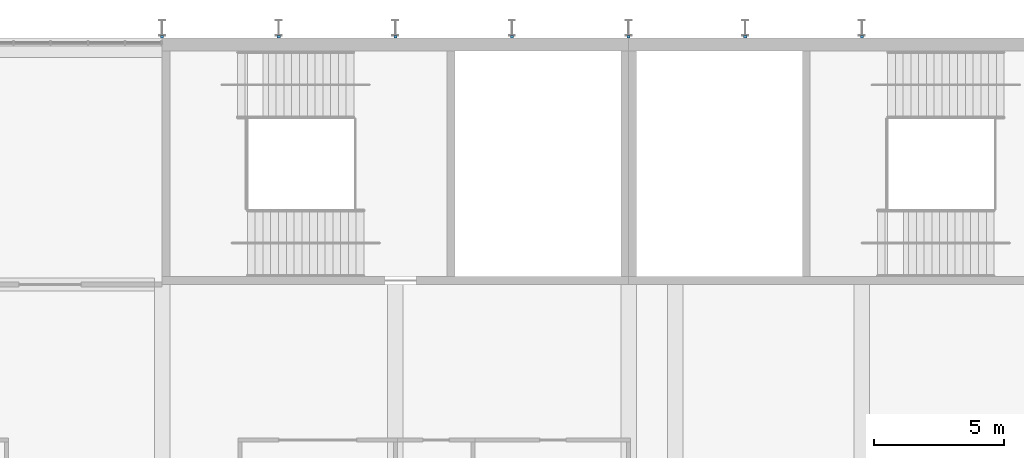
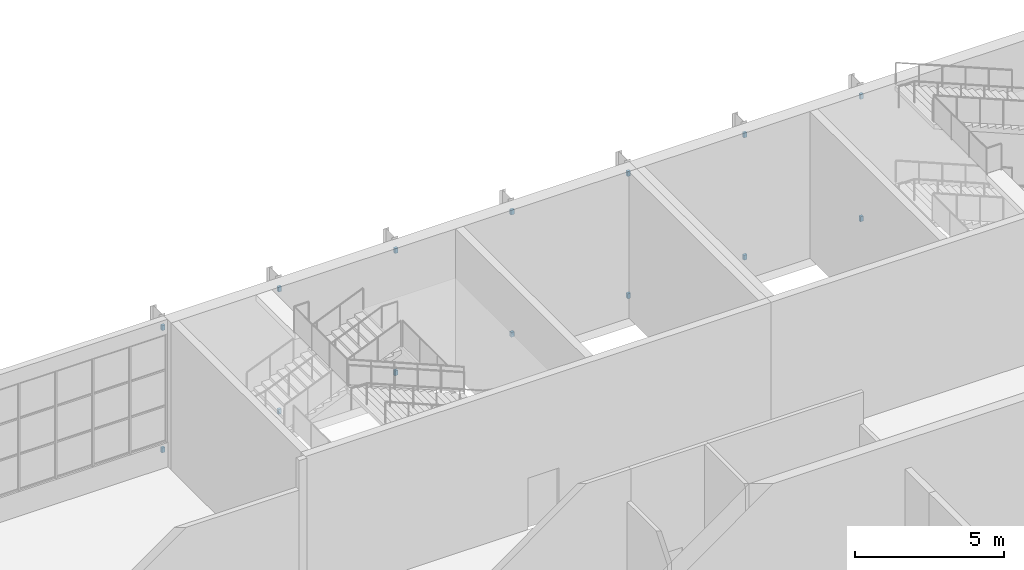
# One storey, part 65 of 89: 14 discrete accessories.
"""IFC4 building model written with IfcOpenShell, lengths in metres."""

import ifcopenshell
import ifcopenshell.guid

model = None  # the IFC model being written
_history = None  # IfcOwnerHistory: only IFC2X3 demands one
_inside = {}  # id of a spatial element -> (the spatial element, [elements in it])
_under = {}  # id of a project, library or spatial element -> (it, [spatial elements below it])
_declared = {}  # id of a project -> (the project, [libraries it declares])
_typed = {}  # id of a type object -> (the type object, [elements of that type])
_made_of = {}  # id of a material, layer set ... -> (it, [elements and type objects made of it])


def new_model(schema):
    """Start an empty IFC model of exactly this schema.

    Asked for "IFC4X3", IfcOpenShell would pick the latest addendum, in which some entities
    have other attributes; the version numbers below select the first issue.
    IFC2X3 requires an IfcOwnerHistory on every rooted entity: one is made here for all.
    """
    global model, _history
    if schema == "IFC4X3":
        model = ifcopenshell.file(schema_version=(4, 3, 0, 0))
    else:
        model = ifcopenshell.file(schema=schema)
    _inside.clear()
    _under.clear()
    _declared.clear()
    _typed.clear()
    _made_of.clear()
    _history = None
    if model.schema == "IFC2X3":
        org = make("IfcOrganization", Name="unknown")
        user = make(
            "IfcPersonAndOrganization",
            ThePerson=make("IfcPerson", FamilyName="unknown"),
            TheOrganization=org,
        )
        app = make(
            "IfcApplication",
            ApplicationDeveloper=org,
            Version="unknown",
            ApplicationFullName="unknown",
            ApplicationIdentifier="unknown",
        )
        _history = make(
            "IfcOwnerHistory",
            OwningUser=user,
            OwningApplication=app,
            ChangeAction="ADDED",
            CreationDate=0,
        )
    return model


def make(cls, **values):
    """One entity of the class cls with the attributes given. An attribute that is None is left unset."""
    return model.create_entity(
        cls, **{name: value for name, value in values.items() if value is not None}
    )


def rooted(cls, **values):
    """An entity with a GlobalId (a new one), such as an element, a storey or a relation."""
    return make(cls, GlobalId=ifcopenshell.guid.new(), OwnerHistory=_history, **values)


def si_unit(unit_type, name, prefix=None):
    """IfcSIUnit, for example si_unit("LENGTHUNIT", "METRE", prefix="MILLI")."""
    return make("IfcSIUnit", UnitType=unit_type, Prefix=prefix, Name=name)


def assignment(units):
    """IfcUnitAssignment: the units of a project."""
    return None if units is None else make("IfcUnitAssignment", Units=units)


def point(xyz):
    """IfcCartesianPoint."""
    return None if xyz is None else make("IfcCartesianPoint", Coordinates=xyz)


def direction(xyz):
    """IfcDirection."""
    return None if xyz is None else make("IfcDirection", DirectionRatios=xyz)


def frame(location, z_axis=None, x_axis=None):
    """IfcAxis2Placement3D, a coordinate frame: its origin and axes. An axis left out is left unset."""
    return make(
        "IfcAxis2Placement3D",
        Location=point(location),
        Axis=direction(z_axis),
        RefDirection=direction(x_axis),
    )


def frame_2d(location, x_axis=None):
    """IfcAxis2Placement2D, a coordinate frame in the plane: its origin and x axis."""
    return make(
        "IfcAxis2Placement2D", Location=point(location), RefDirection=direction(x_axis)
    )


def origin():
    """The frame at (0, 0, 0) with its axes left unset."""
    return frame((0.0, 0.0, 0.0))


def origin_2d():
    """The frame at (0, 0) in the plane with its x axis left unset."""
    return frame_2d((0.0, 0.0))


def place(relative_to, where):
    """IfcLocalPlacement: puts the frame where relative to a parent placement (None: the world)."""
    return make(
        "IfcLocalPlacement", PlacementRelTo=relative_to, RelativePlacement=where
    )


def context(
    kind, dimensions, precision=None, world=None, true_north=None, identifier=None
):
    """IfcGeometricRepresentationContext, for example the 3D "Model" context."""
    return make(
        "IfcGeometricRepresentationContext",
        ContextIdentifier=identifier,
        ContextType=kind,
        CoordinateSpaceDimension=dimensions,
        Precision=precision,
        WorldCoordinateSystem=world,
        TrueNorth=true_north,
    )


def subcontext(parent, identifier, kind, view, scale=None):
    """IfcGeometricRepresentationSubContext, for example "Body" below "Model"."""
    return make(
        "IfcGeometricRepresentationSubContext",
        ContextIdentifier=identifier,
        ContextType=kind,
        ParentContext=parent,
        TargetScale=scale,
        TargetView=view,
    )


def project(units=None, contexts=None):
    """IfcProject with its units and contexts."""
    return rooted(
        "IfcProject",
        Name="project",
        RepresentationContexts=contexts,
        UnitsInContext=assignment(units),
    )


def spatial(cls, under=None, at=None, **own):
    """A site, building, storey or space (cls), placed at a placement, below another one or the project."""
    s = rooted(cls, ObjectPlacement=at, **own)
    if under is not None:
        _under.setdefault(under.id(), (under, []))[1].append(s)
    return s


def profile(cls, at=None, kind="AREA", **sizes):
    """A parametric profile (cls). Its sizes go by their IFC names, for example OverallWidth=200.0."""
    return make(cls, ProfileType=kind, Position=at, **sizes)


def rectangle(**sizes):
    """IfcRectangleProfileDef."""
    return profile("IfcRectangleProfileDef", **sizes)


def extrude(swept, where, along, depth):
    """IfcExtrudedAreaSolid: the profile swept, set in the frame where, extruded along a direction by depth."""
    return make(
        "IfcExtrudedAreaSolid",
        SweptArea=swept,
        Position=where,
        ExtrudedDirection=direction(along),
        Depth=depth,
    )


def shape(context_of_items, identifier, shape_type, items):
    """IfcShapeRepresentation: the items that make up one representation, for example the "Body"."""
    return make(
        "IfcShapeRepresentation",
        ContextOfItems=context_of_items,
        RepresentationIdentifier=identifier,
        RepresentationType=shape_type,
        Items=items,
    )


def material(Name=None, Category=None):
    """IfcMaterial."""
    return make("IfcMaterial", Name=Name, Category=Category)


def made_of(thing, what):
    """Note that an element or type object is made of a material, layer set ...; save() writes the relation."""
    if what is not None:
        _made_of.setdefault(what.id(), (what, []))[1].append(thing)
    return thing


def type_object(cls, material=None, **own):
    """A type object (cls), such as IfcWallType, which elements share."""
    return made_of(rooted(cls, **own), material)


def element(
    cls,
    number,
    at=None,
    inside=None,
    cuts=None,
    type_object=None,
    material=None,
    context=None,
    identifier="Body",
    shape_type=None,
    held_by="IfcProductDefinitionShape",
    body=None,
    shapes=None,
    **own,
):
    """One element of the class cls, such as IfcWall. Its Tag is "e" and its number.

    at: its placement. inside: the storey or other place that contains it. cuts: it is an
    opening in that element (IfcRelVoidsElement). A single representation is given by context,
    identifier, shape_type and body (its items); several are given by shapes. held_by: the class
    of the entity that holds the representations. save() writes the other relations.
    """
    e = rooted(cls, Tag="e%d" % number, ObjectPlacement=at, **own)
    if body is not None:
        shapes = [shape(context, identifier, shape_type, body)]
    if shapes is not None:
        e.Representation = make(held_by, Representations=shapes)
    if inside is not None:
        _inside.setdefault(inside.id(), (inside, []))[1].append(e)
    if cuts is not None:
        rooted(
            "IfcRelVoidsElement", RelatingBuildingElement=cuts, RelatedOpeningElement=e
        )
    if type_object is not None:
        _typed.setdefault(type_object.id(), (type_object, []))[1].append(e)
    return made_of(e, material)


def aggregate(whole, parts):
    """IfcRelAggregates: a whole, such as a stair, and the parts it consists of."""
    return rooted("IfcRelAggregates", RelatingObject=whole, RelatedObjects=parts)


def save(model, path):
    """Write the relations noted so far, then the file.

    IfcRelAggregates (storeys below a building ...), IfcRelContainedInSpatialStructure (elements
    in a storey), IfcRelDefinesByType, IfcRelAssociatesMaterial and IfcRelDeclares: one each for
    every whole, place, type object, material and project.
    """
    for whole, parts in _under.values():
        aggregate(whole, parts)
    for where, things in _inside.values():
        rooted(
            "IfcRelContainedInSpatialStructure",
            RelatedElements=things,
            RelatingStructure=where,
        )
    for kind, things in _typed.values():
        rooted("IfcRelDefinesByType", RelatedObjects=things, RelatingType=kind)
    for what, things in _made_of.values():
        rooted("IfcRelAssociatesMaterial", RelatedObjects=things, RelatingMaterial=what)
    for by, libraries in _declared.values():
        rooted("IfcRelDeclares", RelatingContext=by, RelatedDefinitions=libraries)
    model.write(path)


model = new_model("IFC4")

# Units and contexts
model_context = context("Model", 3, precision=1e-05, world=origin(), true_north=direction((0.0, 1.0)))
body_context = subcontext(model_context, "Body", "Model", "MODEL_VIEW")
ifc_project = project(units=[si_unit("LENGTHUNIT", "METRE"), si_unit("AREAUNIT", "SQUARE_METRE"), si_unit("VOLUMEUNIT", "CUBIC_METRE"), si_unit("PLANEANGLEUNIT", "RADIAN"), si_unit("MASSUNIT", "GRAM", prefix="KILO")], contexts=[model_context])

# Site, building, storey
site_placement = place(None, origin())
site = spatial("IfcSite", under=ifc_project, at=site_placement, CompositionType="ELEMENT")
building_placement = place(site_placement, origin())
building = spatial("IfcBuilding", under=site, at=building_placement, Name="Silverbay Arena", CompositionType="ELEMENT")
storey_placement = place(building_placement, frame((0.0, 0.0, 22.0)))
storey = spatial("IfcBuildingStorey", under=building, at=storey_placement, Name="L03", CompositionType="ELEMENT", Elevation=22.0)

# Discrete accessories
ifc_material = material(Name="Steel S355", Category="steel")
discrete_accessory_type = type_object("IfcDiscreteAccessoryType", Name="Steel bracket plate", PredefinedType="BRACKET", material=ifc_material)
for number, where, z_axis, x_axis, name in (
    (1, (144.0, 144.550048828125, 0.39990234375), (0.0, 0.0, 1.0), (1.0, 0.0, 0.0), "Fin bracket"),
    (2, (144.0, 144.550048828125, 5.39990234375), (0.0, 0.0, 1.0), (1.0, 0.0, 0.0), "Fin bracket"),
    (3, (148.5, 144.550048828125, 0.39990234375), (0.0, 0.0, 1.0), (1.0, 0.0, 0.0), "Fin bracket"),
    (4, (148.5, 144.550048828125, 5.39990234375), (0.0, 0.0, 1.0), (1.0, 0.0, 0.0), "Fin bracket"),
    (5, (153.0, 144.550048828125, 0.39990234375), (0.0, 0.0, 1.0), (1.0, 0.0, 0.0), "Fin bracket"),
    (6, (153.0, 144.550048828125, 5.39990234375), (0.0, 0.0, 1.0), (1.0, 0.0, 0.0), "Fin bracket"),
    (7, (157.5, 144.550048828125, 0.39990234375), (0.0, 0.0, 1.0), (1.0, 0.0, 0.0), "Fin bracket"),
    (8, (157.5, 144.550048828125, 5.39990234375), (0.0, 0.0, 1.0), (1.0, 0.0, 0.0), "Fin bracket"),
    (9, (162.0, 144.550048828125, 0.39990234375), (0.0, 0.0, 1.0), (1.0, 0.0, 0.0), "Fin bracket"),
    (10, (162.0, 144.550048828125, 5.39990234375), (0.0, 0.0, 1.0), (1.0, 0.0, 0.0), "Fin bracket"),
    (11, (166.5, 144.550048828125, 0.39990234375), (0.0, 0.0, 1.0), (1.0, 0.0, 0.0), "Fin bracket"),
    (12, (166.5, 144.550048828125, 5.39990234375), (0.0, 0.0, 1.0), (1.0, 0.0, 0.0), "Fin bracket"),
    (13, (171.0, 144.550048828125, 0.39990234375), (0.0, 0.0, 1.0), (1.0, 0.0, 0.0), "Fin bracket"),
    (14, (171.0, 144.550048828125, 5.39990234375), (0.0, 0.0, 1.0), (1.0, 0.0, 0.0), "Fin bracket"),
):
    element("IfcDiscreteAccessory", number, at=place(storey_placement, frame(where, z_axis=z_axis, x_axis=x_axis)), inside=storey, type_object=discrete_accessory_type, Name=name, PredefinedType="BRACKET", context=body_context, shape_type="SweptSolid", body=[
        extrude(rectangle(XDim=0.1201171875, YDim=0.10009765625, at=origin_2d()), origin(), (0.0, 0.0, 1.0), 0.199951171875),
    ])

save(model, "model.ifc")
